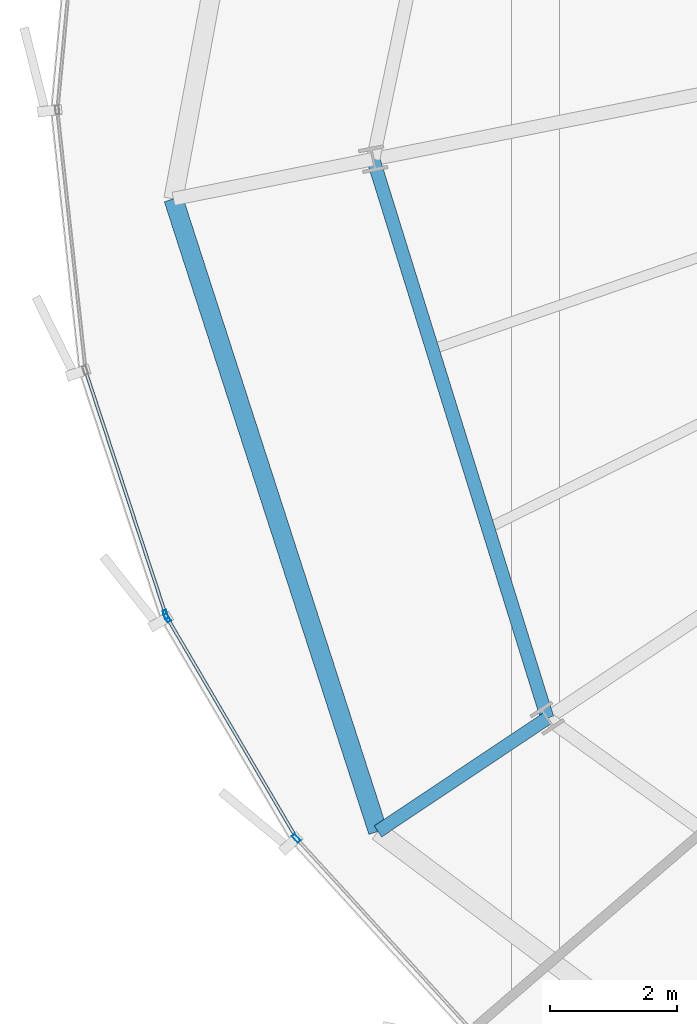
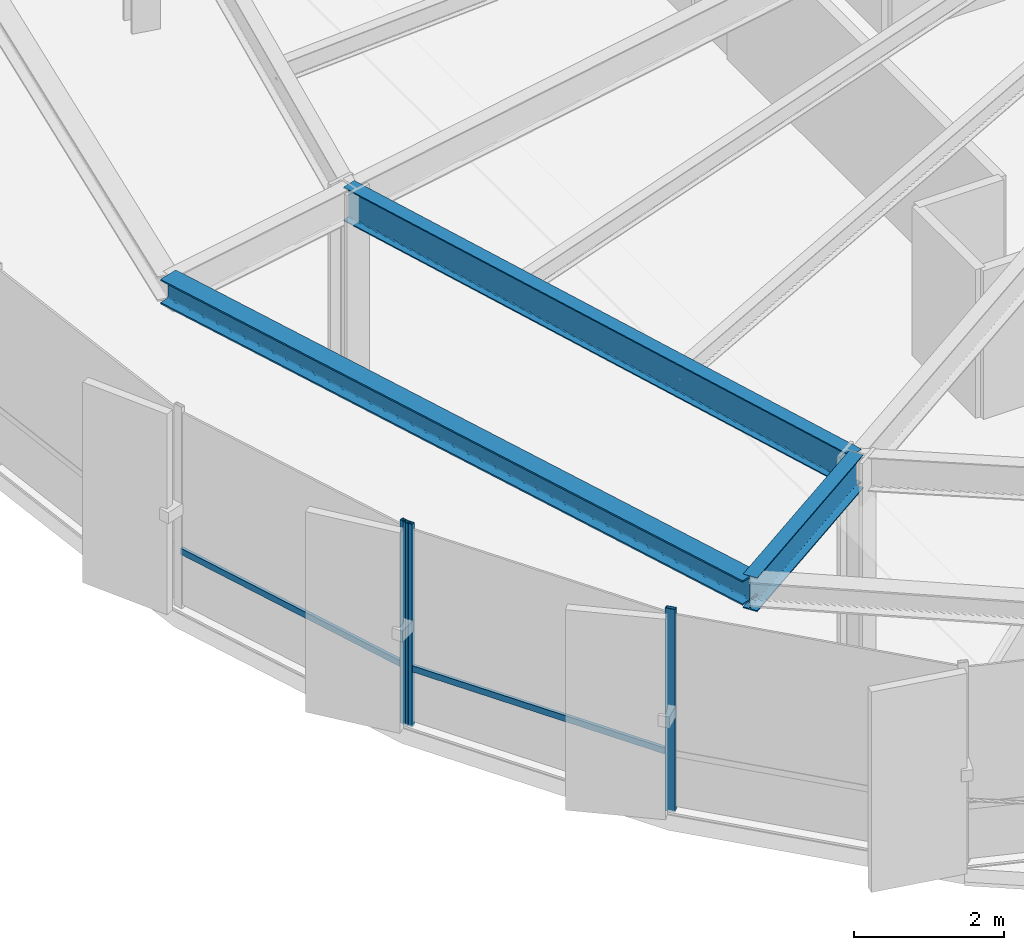
# One storey, part 3 of 37: 5 members, 3 beams, 2 elements without a shape of their own.
"""IFC4 building model written with IfcOpenShell, lengths in metres."""

from ifc_helpers import new_model, si_unit, direction, frame, origin, origin_2d, place, context, subcontext, project, spatial, hollow_rectangle, i_section, extrude, source, transform, mapped, material, layer, layer_set, material_profile, profile_set, type_object, element, aggregate, save


model = new_model("IFC4")

# Units and contexts
model_context = context("Model", 3, precision=1e-05, world=origin(), true_north=direction((0.0, 1.0)))
body_context = subcontext(model_context, "Body", "Model", "MODEL_VIEW")
ifc_project = project(units=[si_unit("LENGTHUNIT", "METRE"), si_unit("AREAUNIT", "SQUARE_METRE"), si_unit("VOLUMEUNIT", "CUBIC_METRE"), si_unit("PLANEANGLEUNIT", "RADIAN"), si_unit("MASSUNIT", "GRAM", prefix="KILO"), si_unit("THERMODYNAMICTEMPERATUREUNIT", "KELVIN")], contexts=[model_context])

# Site, building, storey
site_placement = place(None, origin())
site = spatial("IfcSite", under=ifc_project, at=site_placement, CompositionType="ELEMENT")
building_placement = place(site_placement, origin())
building = spatial("IfcBuilding", under=site, at=building_placement, Name="Kethvar Cultural Tower", CompositionType="ELEMENT")
storey_placement = place(building_placement, frame((0.0, 0.0, 132.35009765625)))
storey = spatial("IfcBuildingStorey", under=building, at=storey_placement, Name="L33", CompositionType="ELEMENT", Elevation=132.35009765625)

# Beams
ifc_material_1 = material(Name="Steel S355J2", Category="steel")
ifc_material_profile_1 = material_profile(ifc_material_1, i_section(OverallWidth=0.2099609375, OverallDepth=0.550048828125, WebThickness=0.010986328125, FlangeThickness=0.01708984375, FilletRadius=0.02392578125, at=origin_2d()), Name="Steel S355J2 — IPE550")
ifc_profile_set_1 = profile_set([ifc_material_profile_1], Name="Steel S355J2 — IPE550")
beam_type_1 = type_object("IfcBeamType", Name="BM-IPE550", PredefinedType="BEAM", material=ifc_profile_set_1)
shared_shape_1 = source(origin(), body_context, "Body", "SweptSolid", [
    extrude(i_section(OverallWidth=0.2099609375, OverallDepth=0.550048828125, WebThickness=0.010986328125, FlangeThickness=0.01708984375, FilletRadius=0.02392578125, at=origin_2d()), origin(), (0.0, 0.0, 1.0), 3.199951171875),
])
beam_1_placement = place(storey_placement, frame((26.920654296875, 14.51708984375, 3.02294921875), z_axis=(-0.831462943996, -0.555580212716, 0.0), x_axis=(0.555580212716, -0.831462943996, 0.0)))
element("IfcBeam", 1, at=beam_1_placement, inside=storey, type_object=beam_type_1, Name="L33 Perimeter Cantilever Beam RC-10", PredefinedType="BEAM", context=body_context, shape_type="MappedRepresentation", body=[
    mapped(shared_shape_1, transform((0.0, 0.0, 0.0), scale=1.0)),
])
shared_shape_2 = source(origin(), body_context, "Body", "SweptSolid", [
    extrude(i_section(OverallWidth=0.2099609375, OverallDepth=0.550048828125, WebThickness=0.010986328125, FlangeThickness=0.01708984375, FilletRadius=0.02392578125, at=origin_2d()), origin(), (0.0, 0.0, 1.0), 9.20068359375),
])
beam_2_placement = place(storey_placement, frame((24.185302734375, 23.3017578125, 3.02294921875), z_axis=(0.297298800285, -0.954784490526, 0.0), x_axis=(0.954784490526, 0.297298800285, 0.0)))
element("IfcBeam", 2, at=beam_2_placement, inside=storey, type_object=beam_type_1, Name="L33 Column Ring Tie Beam CR-09", PredefinedType="BEAM", context=body_context, shape_type="MappedRepresentation", body=[
    mapped(shared_shape_2, transform((0.0, 0.0, 0.0), scale=1.0)),
])
ifc_material_profile_2 = material_profile(ifc_material_1, i_section(OverallWidth=0.300048828125, OverallDepth=0.39990234375, WebThickness=0.013427734375, FlangeThickness=0.02392578125, FilletRadius=0.027099609375, at=origin_2d()), Name="Steel S355J2 — HEB400")
ifc_profile_set_2 = profile_set([ifc_material_profile_2], Name="Steel S355J2 — HEB400")
beam_type_2 = type_object("IfcBeamType", Name="BM-SP400", PredefinedType="SPANDREL", material=ifc_profile_set_2)
shared_shape_3 = source(origin(), body_context, "Body", "SweptSolid", [
    extrude(i_section(OverallWidth=0.300048828125, OverallDepth=0.39990234375, WebThickness=0.013427734375, FlangeThickness=0.02392578125, FilletRadius=0.027099609375, at=origin_2d()), origin(), (0.0, 0.0, 1.0), 10.44482421875),
])
beam_3_placement = place(storey_placement, frame((21.046875, 22.677490234375, 3.097900390625), z_axis=(0.307631709258, -0.951505507845, 0.0), x_axis=(0.951505507845, 0.307631709258, 0.0)))
element("IfcBeam", 3, at=beam_3_placement, inside=storey, type_object=beam_type_2, Name="L33 Perimeter Spandrel Beam SP-09", PredefinedType="SPANDREL", context=body_context, shape_type="MappedRepresentation", body=[
    mapped(shared_shape_3, transform((0.0, 0.0, 0.0), scale=1.0)),
])

# Curtain wall, member
ifc_material_2 = material(Name="Aluminium 6063-T6", Category="aluminium")
ifc_layer = layer(ifc_material_2, 0.179931640625, Name="Aluminium 6063-T6", Category="aluminium")
ifc_layer_set = layer_set([ifc_layer], Name="Aluminium 6063-T6 (180 mm)")
curtain_wall_type = type_object("IfcCurtainWallType", Name="CW-SYS-04-Z34", PredefinedType="NOTDEFINED", material=ifc_layer_set)
curtain_wall_1_placement = place(storey_placement, origin())
curtain_wall_1 = element("IfcCurtainWall", 4, at=curtain_wall_1_placement, inside=storey, type_object=curtain_wall_type, Name="L33 Curtain Wall Run 03", PredefinedType="NOTDEFINED")
ifc_material_profile_3 = material_profile(ifc_material_2, hollow_rectangle(XDim=0.06005859375, YDim=0.139892578125, WallThickness=0.0048828125, at=origin_2d()), Name="Aluminium 6063-T6 — RHS140x60x5")
ifc_profile_set_3 = profile_set([ifc_material_profile_3], Name="Aluminium 6063-T6 — RHS140x60x5")
member_type_1 = type_object("IfcMemberType", Name="CW-SYS-04-Z34-MUL", PredefinedType="MULLION", material=ifc_profile_set_3)
shared_shape_4 = source(origin(), body_context, "Body", "SweptSolid", [
    extrude(hollow_rectangle(XDim=0.06005859375, YDim=0.139892578125, WallThickness=0.0048828125, at=origin_2d()), origin(), (0.0, 0.0, 1.0), 3.2998046875),
])
member_1_placement = place(storey_placement, frame((20.92626953125, 16.147216796875, 0.0), z_axis=(0.0, 0.0, 1.0), x_axis=(0.949922978351, 0.312484135919, 0.0)))
member_1 = element("IfcMember", 5, at=member_1_placement, type_object=member_type_1, Name="CW-L33-R03 Mullion 7", PredefinedType="MULLION", context=body_context, shape_type="MappedRepresentation", body=[
    mapped(shared_shape_4, transform((0.0, 0.0, 0.0), scale=1.0)),
])

# Curtain wall, members
curtain_wall_2_placement = place(storey_placement, origin())
curtain_wall_2 = element("IfcCurtainWall", 6, at=curtain_wall_2_placement, inside=storey, type_object=curtain_wall_type, Name="L33 Curtain Wall Run 04", PredefinedType="NOTDEFINED")
member_2_placement = place(storey_placement, frame((20.948486328125, 16.097900390625, 0.0), z_axis=(0.0, 0.0, 1.0), x_axis=(0.862593146164, 0.505898274548, 0.0)))
member_2 = element("IfcMember", 7, at=member_2_placement, type_object=member_type_1, Name="CW-L33-R04 Mullion 1", PredefinedType="MULLION", context=body_context, shape_type="MappedRepresentation", body=[
    mapped(shared_shape_4, transform((0.0, 0.0, 0.0), scale=1.0)),
])
member_3_placement = place(storey_placement, frame((22.978515625, 12.6318359375, 0.0), z_axis=(0.0, 0.0, 1.0), x_axis=(0.738455340626, 0.674302387584, 0.0)))
member_3 = element("IfcMember", 8, at=member_3_placement, type_object=member_type_1, Name="CW-L33-R04 Mullion 2", PredefinedType="MULLION", context=body_context, shape_type="MappedRepresentation", body=[
    mapped(shared_shape_4, transform((0.0, 0.0, 0.0), scale=1.0)),
])

# Member
ifc_material_profile_4 = material_profile(ifc_material_2, hollow_rectangle(XDim=0.050048828125, YDim=0.10009765625, WallThickness=0.00390625, at=origin_2d()), Name="Aluminium 6063-T6 — RHS100x50x4")
ifc_profile_set_4 = profile_set([ifc_material_profile_4], Name="Aluminium 6063-T6 — RHS100x50x4")
member_type_2 = type_object("IfcMemberType", Name="CW-SYS-04-Z34-TRN", PredefinedType="USERDEFINED", material=ifc_profile_set_4)
shared_shape_5 = source(origin(), body_context, "Body", "SweptSolid", [
    extrude(hollow_rectangle(XDim=0.050048828125, YDim=0.10009765625, WallThickness=0.00390625, at=origin_2d()), origin(), (0.0, 0.0, 1.0), 3.9921875),
])
member_4_placement = place(storey_placement, frame((19.677490234375, 19.943603515625, 0.949951171875), z_axis=(0.312501002177, -0.949917429906, 0.0), x_axis=(0.949917429906, 0.312501002177, 0.0)))
member_4 = element("IfcMember", 9, at=member_4_placement, type_object=member_type_2, Name="CW-L33-R03 Transom 6", ObjectType="TRANSOM", PredefinedType="USERDEFINED", context=body_context, shape_type="MappedRepresentation", body=[
    mapped(shared_shape_5, transform((0.0, 0.0, 0.0), scale=1.0)),
])

aggregate(curtain_wall_1, [member_1, member_4])

member_5_placement = place(storey_placement, frame((20.95068359375, 16.09423828125, 0.949951171875), z_axis=(0.505926650911, -0.862576503215, 0.0), x_axis=(0.862576503215, 0.505926650911, 0.0)))
member_5 = element("IfcMember", 10, at=member_5_placement, type_object=member_type_2, Name="CW-L33-R04 Transom 1", ObjectType="TRANSOM", PredefinedType="USERDEFINED", context=body_context, shape_type="MappedRepresentation", body=[
    mapped(shared_shape_5, transform((0.0, 0.0, 0.0), scale=1.0)),
])

aggregate(curtain_wall_2, [member_2, member_3, member_5])

save(model, "model.ifc")
